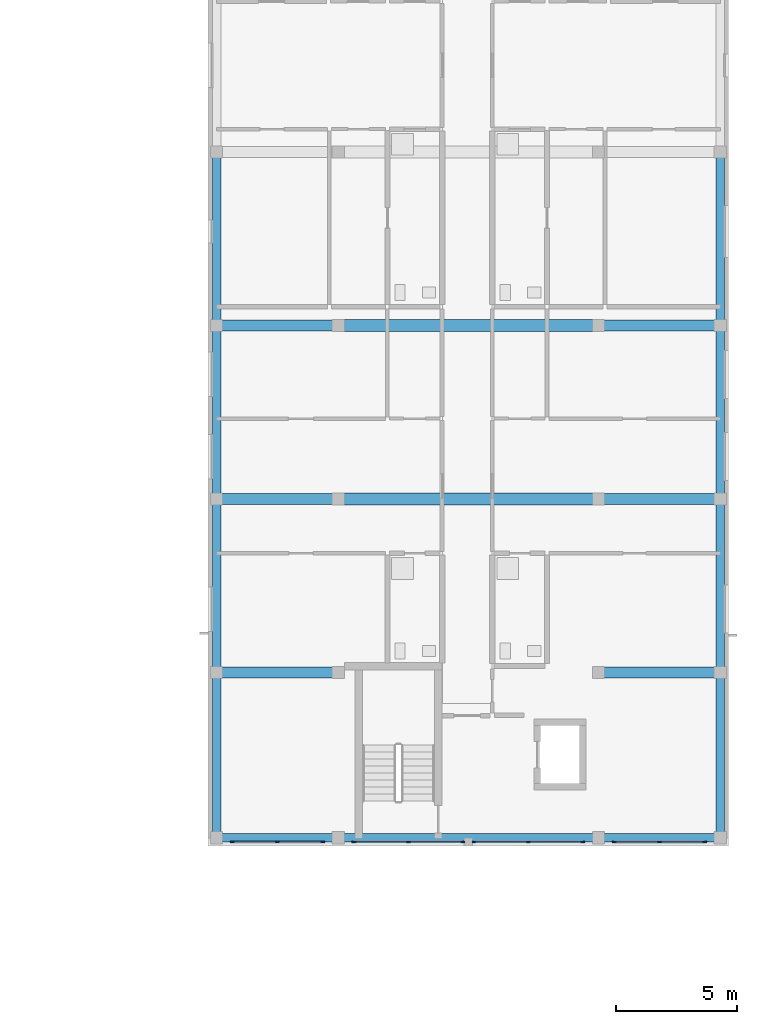
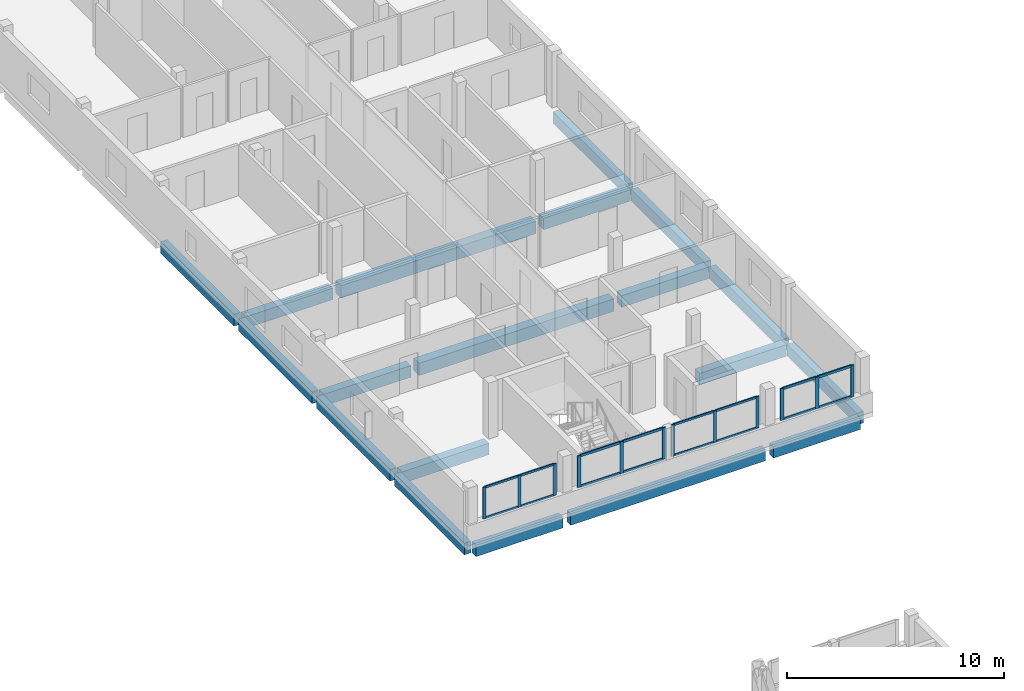
# One storey, part 7 of 28: 28 members, 19 beams, 4 elements without a shape of their own.
"""IFC4 building model written with IfcOpenShell, lengths in metres."""

from ifc_helpers import new_model, si_unit, derived_unit, direction, frame, origin, origin_2d, place, context, subcontext, project, spatial, rectangle, extrude, material, layer, layer_set, material_profile, profile_set, type_object, element, aggregate, save


model = new_model("IFC4")

# Units and contexts
model_context = context("Model", 3, precision=1e-05, world=origin(), true_north=direction((0.0, 1.0)))
body_context = subcontext(model_context, "Body", "Model", "MODEL_VIEW")
ifc_project = project(units=[si_unit("LENGTHUNIT", "METRE"), si_unit("AREAUNIT", "SQUARE_METRE"), si_unit("VOLUMEUNIT", "CUBIC_METRE"), si_unit("PLANEANGLEUNIT", "RADIAN"), si_unit("MASSUNIT", "GRAM", prefix="KILO"), derived_unit("THERMALTRANSMITTANCEUNIT", [(si_unit("MASSUNIT", "GRAM", prefix="KILO"), 1), (si_unit("TIMEUNIT", "SECOND"), -3), (si_unit("THERMODYNAMICTEMPERATUREUNIT", "KELVIN"), -1)])], contexts=[model_context])

# Site, building, storey
site_placement = place(None, origin())
site = spatial("IfcSite", under=ifc_project, at=site_placement, CompositionType="ELEMENT")
building_placement = place(site_placement, origin())
building = spatial("IfcBuilding", under=site, at=building_placement, Name="Ochrekiln Boulevard Commons", CompositionType="ELEMENT")
storey_placement = place(building_placement, frame((0.0, 0.0, 34.125)))
storey = spatial("IfcBuildingStorey", under=building, at=storey_placement, Name="L10", CompositionType="ELEMENT", Elevation=34.125)

# Beams
ifc_material_1 = material(Name="Concrete C35/45", Category="concrete")
ifc_material_profile_1 = material_profile(ifc_material_1, rectangle(XDim=0.449951171875, YDim=0.64990234375, at=origin_2d()), Name="RC-BM-450x650")
ifc_profile_set_1 = profile_set([ifc_material_profile_1], Name="Concrete C35/45")
beam_type_1 = type_object("IfcBeamType", Name="BM-RC-450x650", PredefinedType="BEAM", material=ifc_profile_set_1)
for number, where, z_axis, x_axis, name in (
    (1, (151.760009765625, 75.60009765625, -0.574951171875), (1.0, 0.0, 0.0), (0.0, 1.0, 0.0), "Block B L10 Beam B-4565 X4"),
    (2, (167.610107421875, 75.60009765625, -0.574951171875), (1.0, 0.0, 0.0), (0.0, 1.0, 0.0), "Block B L10 Beam B-4565 X5"),
    (3, (151.760009765625, 82.800048828125, -0.574951171875), (1.0, 0.0, 0.0), (0.0, 1.0, 0.0), "Block B L10 Beam B-4565 X6"),
    (4, (167.610107421875, 82.800048828125, -0.574951171875), (1.0, 0.0, 0.0), (0.0, 1.0, 0.0), "Block B L10 Beam B-4565 X8"),
    (5, (151.760009765625, 90.0, -0.574951171875), (1.0, 0.0, 0.0), (0.0, 1.0, 0.0), "Block B L10 Beam B-4565 X9"),
    (6, (167.610107421875, 90.0, -0.574951171875), (1.0, 0.0, 0.0), (0.0, 1.0, 0.0), "Block B L10 Beam B-4565 X11"),
):
    element("IfcBeam", number, at=place(storey_placement, frame(where, z_axis=z_axis, x_axis=x_axis)), inside=storey, type_object=beam_type_1, Name=name, PredefinedType="BEAM", context=body_context, shape_type="SweptSolid", body=[
        extrude(rectangle(XDim=0.449951171875, YDim=0.64990234375, at=origin_2d()), origin(), (0.0, 0.0, 1.0), 4.6298828125),
    ])
ifc_material_2 = material(Name="Concrete C40/50", Category="concrete")
ifc_material_profile_2 = material_profile(ifc_material_2, rectangle(XDim=0.5, YDim=0.699951171875, at=origin_2d()), Name="RC-BM-500x700")
ifc_profile_set_2 = profile_set([ifc_material_profile_2], Name="Concrete C40/50")
beam_type_2 = type_object("IfcBeamType", Name="BM-RC-500x700", PredefinedType="BEAM", material=ifc_profile_set_2)
for number, where, z_axis, x_axis, name in (
    (7, (156.81005859375, 82.800048828125, -0.60009765625), (1.0, 0.0, 0.0), (0.0, 1.0, 0.0), "Block B L10 Beam B-5070 X7"),
    (8, (156.81005859375, 90.0, -0.60009765625), (1.0, 0.0, 0.0), (0.0, 1.0, 0.0), "Block B L10 Beam B-5070 X10"),
):
    element("IfcBeam", number, at=place(storey_placement, frame(where, z_axis=z_axis, x_axis=x_axis)), inside=storey, type_object=beam_type_2, Name=name, PredefinedType="BEAM", context=body_context, shape_type="SweptSolid", body=[
        extrude(rectangle(XDim=0.5, YDim=0.699951171875, at=origin_2d()), origin(), (0.0, 0.0, 1.0), 10.3798828125),
    ])

# Curtain wall, members
ifc_material_3 = material(Name="Bronze-anodized extruded aluminium 6063-T6", Category="aluminium")
ifc_layer = layer(ifc_material_3, 0.18408203125)
ifc_layer_set = layer_set([ifc_layer], Name="Bronze-anodized extruded aluminium 6063-T6")
curtain_wall_type = type_object("IfcCurtainWallType", Name="CW-GABLE-B", PredefinedType="USERDEFINED", material=ifc_layer_set)
curtain_wall_1_placement = place(storey_placement, origin())
curtain_wall_1 = element("IfcCurtainWall", 9, at=curtain_wall_1_placement, inside=storey, type_object=curtain_wall_type, Name="Block B L10 Courtyard Glazed Gable Curtain Wall 1", ObjectType="GLAZED CURTAIN WALL", PredefinedType="USERDEFINED")
ifc_material_profile_3 = material_profile(ifc_material_3, rectangle(XDim=0.06005859375, YDim=0.159912109375, at=origin_2d()), Name="ALU-MUL-60x160")
ifc_profile_set_3 = profile_set([ifc_material_profile_3], Name="Bronze-anodized extruded aluminium 6063-T6")
member_type_1 = type_object("IfcMemberType", Name="CWM-60x160", PredefinedType="MULLION", material=ifc_profile_set_3)
member_1_placement = place(storey_placement, frame((152.199951171875, 68.570068359375, 1.110107421875), z_axis=(0.0, 0.0, 1.0), x_axis=(0.0, 1.0, 0.0)))
member_1 = element("IfcMember", 10, at=member_1_placement, type_object=member_type_1, Name="CW-02 mullion 1", PredefinedType="MULLION", context=body_context, shape_type="SweptSolid", body=[
    extrude(rectangle(XDim=0.06005859375, YDim=0.159912109375, at=origin_2d()), origin(), (0.0, 0.0, 1.0), 1.77978515625),
])
member_2_placement = place(storey_placement, frame((154.074951171875, 68.570068359375, 1.110107421875), z_axis=(0.0, 0.0, 1.0), x_axis=(0.0, 1.0, 0.0)))
member_2 = element("IfcMember", 11, at=member_2_placement, type_object=member_type_1, Name="CW-02 mullion 2", PredefinedType="MULLION", context=body_context, shape_type="SweptSolid", body=[
    extrude(rectangle(XDim=0.06005859375, YDim=0.159912109375, at=origin_2d()), origin(), (0.0, 0.0, 1.0), 1.77978515625),
])
member_3_placement = place(storey_placement, frame((155.949951171875, 68.570068359375, 1.110107421875), z_axis=(0.0, 0.0, 1.0), x_axis=(0.0, 1.0, 0.0)))
member_3 = element("IfcMember", 12, at=member_3_placement, type_object=member_type_1, Name="CW-02 mullion 3", PredefinedType="MULLION", context=body_context, shape_type="SweptSolid", body=[
    extrude(rectangle(XDim=0.06005859375, YDim=0.159912109375, at=origin_2d()), origin(), (0.0, 0.0, 1.0), 1.77978515625),
])

curtain_wall_2_placement = place(storey_placement, origin())
curtain_wall_2 = element("IfcCurtainWall", 13, at=curtain_wall_2_placement, inside=storey, type_object=curtain_wall_type, Name="Block B L10 Courtyard Glazed Gable Curtain Wall 3", ObjectType="GLAZED CURTAIN WALL", PredefinedType="USERDEFINED")
member_4_placement = place(storey_placement, frame((162.22998046875, 68.570068359375, 1.110107421875), z_axis=(0.0, 0.0, 1.0), x_axis=(0.0, 1.0, 0.0)))
member_4 = element("IfcMember", 14, at=member_4_placement, type_object=member_type_1, Name="CW-02 mullion 1", PredefinedType="MULLION", context=body_context, shape_type="SweptSolid", body=[
    extrude(rectangle(XDim=0.06005859375, YDim=0.159912109375, at=origin_2d()), origin(), (0.0, 0.0, 1.0), 1.77978515625),
])
member_5_placement = place(storey_placement, frame((164.489990234375, 68.570068359375, 1.110107421875), z_axis=(0.0, 0.0, 1.0), x_axis=(0.0, 1.0, 0.0)))
member_5 = element("IfcMember", 15, at=member_5_placement, type_object=member_type_1, Name="CW-02 mullion 2", PredefinedType="MULLION", context=body_context, shape_type="SweptSolid", body=[
    extrude(rectangle(XDim=0.06005859375, YDim=0.159912109375, at=origin_2d()), origin(), (0.0, 0.0, 1.0), 1.77978515625),
])
member_6_placement = place(storey_placement, frame((166.75, 68.570068359375, 1.110107421875), z_axis=(0.0, 0.0, 1.0), x_axis=(0.0, 1.0, 0.0)))
member_6 = element("IfcMember", 16, at=member_6_placement, type_object=member_type_1, Name="CW-02 mullion 3", PredefinedType="MULLION", context=body_context, shape_type="SweptSolid", body=[
    extrude(rectangle(XDim=0.06005859375, YDim=0.159912109375, at=origin_2d()), origin(), (0.0, 0.0, 1.0), 1.77978515625),
])

curtain_wall_3_placement = place(storey_placement, origin())
curtain_wall_3 = element("IfcCurtainWall", 17, at=curtain_wall_3_placement, inside=storey, type_object=curtain_wall_type, Name="Block B L10 Courtyard Glazed Gable Curtain Wall 2", ObjectType="GLAZED CURTAIN WALL", PredefinedType="USERDEFINED")
ifc_material_profile_4 = material_profile(ifc_material_3, rectangle(XDim=0.06494140625, YDim=0.179931640625, at=origin_2d()), Name="ALU-MUL-65x180")
ifc_profile_set_4 = profile_set([ifc_material_profile_4], Name="Bronze-anodized extruded aluminium 6063-T6")
member_type_2 = type_object("IfcMemberType", Name="CWM-65x180", PredefinedType="MULLION", material=ifc_profile_set_4)
member_7_placement = place(storey_placement, frame((157.25244140625, 68.570068359375, 1.110107421875), z_axis=(0.0, 0.0, 1.0), x_axis=(0.0, 1.0, 0.0)))
member_7 = element("IfcMember", 18, at=member_7_placement, type_object=member_type_2, Name="CW-02 mullion 1", PredefinedType="MULLION", context=body_context, shape_type="SweptSolid", body=[
    extrude(rectangle(XDim=0.06494140625, YDim=0.179931640625, at=origin_2d()), origin(), (0.0, 0.0, 1.0), 1.77978515625),
])
member_8_placement = place(storey_placement, frame((159.510009765625, 68.570068359375, 1.110107421875), z_axis=(0.0, 0.0, 1.0), x_axis=(0.0, 1.0, 0.0)))
member_8 = element("IfcMember", 19, at=member_8_placement, type_object=member_type_2, Name="CW-02 mullion 2", PredefinedType="MULLION", context=body_context, shape_type="SweptSolid", body=[
    extrude(rectangle(XDim=0.06494140625, YDim=0.179931640625, at=origin_2d()), origin(), (0.0, 0.0, 1.0), 1.77978515625),
])
member_9_placement = place(storey_placement, frame((161.767578125, 68.570068359375, 1.110107421875), z_axis=(0.0, 0.0, 1.0), x_axis=(0.0, 1.0, 0.0)))
member_9 = element("IfcMember", 20, at=member_9_placement, type_object=member_type_2, Name="CW-02 mullion 3", PredefinedType="MULLION", context=body_context, shape_type="SweptSolid", body=[
    extrude(rectangle(XDim=0.06494140625, YDim=0.179931640625, at=origin_2d()), origin(), (0.0, 0.0, 1.0), 1.77978515625),
])

curtain_wall_4_placement = place(storey_placement, origin())
curtain_wall_4 = element("IfcCurtainWall", 21, at=curtain_wall_4_placement, inside=storey, type_object=curtain_wall_type, Name="Block B L10 Courtyard Glazed Gable Curtain Wall 4", ObjectType="GLAZED CURTAIN WALL", PredefinedType="USERDEFINED")
member_10_placement = place(storey_placement, frame((168.052490234375, 68.570068359375, 1.110107421875), z_axis=(0.0, 0.0, 1.0), x_axis=(0.0, 1.0, 0.0)))
member_10 = element("IfcMember", 22, at=member_10_placement, type_object=member_type_2, Name="CW-02 mullion 1", PredefinedType="MULLION", context=body_context, shape_type="SweptSolid", body=[
    extrude(rectangle(XDim=0.06494140625, YDim=0.179931640625, at=origin_2d()), origin(), (0.0, 0.0, 1.0), 1.77978515625),
])
member_11_placement = place(storey_placement, frame((169.925048828125, 68.570068359375, 1.110107421875), z_axis=(0.0, 0.0, 1.0), x_axis=(0.0, 1.0, 0.0)))
member_11 = element("IfcMember", 23, at=member_11_placement, type_object=member_type_2, Name="CW-02 mullion 2", PredefinedType="MULLION", context=body_context, shape_type="SweptSolid", body=[
    extrude(rectangle(XDim=0.06494140625, YDim=0.179931640625, at=origin_2d()), origin(), (0.0, 0.0, 1.0), 1.77978515625),
])
member_12_placement = place(storey_placement, frame((171.797607421875, 68.570068359375, 1.110107421875), z_axis=(0.0, 0.0, 1.0), x_axis=(0.0, 1.0, 0.0)))
member_12 = element("IfcMember", 24, at=member_12_placement, type_object=member_type_2, Name="CW-02 mullion 3", PredefinedType="MULLION", context=body_context, shape_type="SweptSolid", body=[
    extrude(rectangle(XDim=0.06494140625, YDim=0.179931640625, at=origin_2d()), origin(), (0.0, 0.0, 1.0), 1.77978515625),
])

# Member
ifc_material_profile_5 = material_profile(ifc_material_3, rectangle(XDim=0.06005859375, YDim=0.1201171875, at=origin_2d()), Name="ALU-TRN-60x120")
ifc_profile_set_5 = profile_set([ifc_material_profile_5], Name="Bronze-anodized extruded aluminium 6063-T6")
member_type_3 = type_object("IfcMemberType", Name="CWT-60x120", PredefinedType="USERDEFINED", material=ifc_profile_set_5)
member_13_placement = place(storey_placement, frame((152.22998046875, 68.570068359375, 1.139892578125), z_axis=(1.0, 0.0, 0.0), x_axis=(0.0, 1.0, 0.0)))
member_13 = element("IfcMember", 25, at=member_13_placement, type_object=member_type_3, Name="CW-02 transom 1.1", ObjectType="TRANSOM", PredefinedType="USERDEFINED", context=body_context, shape_type="SweptSolid", body=[
    extrude(rectangle(XDim=0.06005859375, YDim=0.1201171875, at=origin_2d()), origin(), (0.0, 0.0, 1.0), 1.81494140625),
])

member_14_placement = place(storey_placement, frame((152.22998046875, 68.570068359375, 2.860107421875), z_axis=(1.0, 0.0, 0.0), x_axis=(0.0, 1.0, 0.0)))
member_14 = element("IfcMember", 26, at=member_14_placement, type_object=member_type_3, Name="CW-02 transom 1.2", ObjectType="TRANSOM", PredefinedType="USERDEFINED", context=body_context, shape_type="SweptSolid", body=[
    extrude(rectangle(XDim=0.06005859375, YDim=0.1201171875, at=origin_2d()), origin(), (0.0, 0.0, 1.0), 1.81494140625),
])

member_15_placement = place(storey_placement, frame((154.10498046875, 68.570068359375, 1.139892578125), z_axis=(1.0, 0.0, 0.0), x_axis=(0.0, 1.0, 0.0)))
member_15 = element("IfcMember", 27, at=member_15_placement, type_object=member_type_3, Name="CW-02 transom 2.1", ObjectType="TRANSOM", PredefinedType="USERDEFINED", context=body_context, shape_type="SweptSolid", body=[
    extrude(rectangle(XDim=0.06005859375, YDim=0.1201171875, at=origin_2d()), origin(), (0.0, 0.0, 1.0), 1.81494140625),
])

member_16_placement = place(storey_placement, frame((154.10498046875, 68.570068359375, 2.860107421875), z_axis=(1.0, 0.0, 0.0), x_axis=(0.0, 1.0, 0.0)))
member_16 = element("IfcMember", 28, at=member_16_placement, type_object=member_type_3, Name="CW-02 transom 2.2", ObjectType="TRANSOM", PredefinedType="USERDEFINED", context=body_context, shape_type="SweptSolid", body=[
    extrude(rectangle(XDim=0.06005859375, YDim=0.1201171875, at=origin_2d()), origin(), (0.0, 0.0, 1.0), 1.81494140625),
])

aggregate(curtain_wall_1, [member_1, member_2, member_3, member_13, member_14, member_15, member_16])

member_17_placement = place(storey_placement, frame((162.260009765625, 68.570068359375, 1.139892578125), z_axis=(1.0, 0.0, 0.0), x_axis=(0.0, 1.0, 0.0)))
member_17 = element("IfcMember", 29, at=member_17_placement, type_object=member_type_3, Name="CW-02 transom 1.1", ObjectType="TRANSOM", PredefinedType="USERDEFINED", context=body_context, shape_type="SweptSolid", body=[
    extrude(rectangle(XDim=0.06005859375, YDim=0.1201171875, at=origin_2d()), origin(), (0.0, 0.0, 1.0), 2.199951171875),
])

member_18_placement = place(storey_placement, frame((162.260009765625, 68.570068359375, 2.860107421875), z_axis=(1.0, 0.0, 0.0), x_axis=(0.0, 1.0, 0.0)))
member_18 = element("IfcMember", 30, at=member_18_placement, type_object=member_type_3, Name="CW-02 transom 1.2", ObjectType="TRANSOM", PredefinedType="USERDEFINED", context=body_context, shape_type="SweptSolid", body=[
    extrude(rectangle(XDim=0.06005859375, YDim=0.1201171875, at=origin_2d()), origin(), (0.0, 0.0, 1.0), 2.199951171875),
])

member_19_placement = place(storey_placement, frame((164.52001953125, 68.570068359375, 1.139892578125), z_axis=(1.0, 0.0, 0.0), x_axis=(0.0, 1.0, 0.0)))
member_19 = element("IfcMember", 31, at=member_19_placement, type_object=member_type_3, Name="CW-02 transom 2.1", ObjectType="TRANSOM", PredefinedType="USERDEFINED", context=body_context, shape_type="SweptSolid", body=[
    extrude(rectangle(XDim=0.06005859375, YDim=0.1201171875, at=origin_2d()), origin(), (0.0, 0.0, 1.0), 2.199951171875),
])

member_20_placement = place(storey_placement, frame((164.52001953125, 68.570068359375, 2.860107421875), z_axis=(1.0, 0.0, 0.0), x_axis=(0.0, 1.0, 0.0)))
member_20 = element("IfcMember", 32, at=member_20_placement, type_object=member_type_3, Name="CW-02 transom 2.2", ObjectType="TRANSOM", PredefinedType="USERDEFINED", context=body_context, shape_type="SweptSolid", body=[
    extrude(rectangle(XDim=0.06005859375, YDim=0.1201171875, at=origin_2d()), origin(), (0.0, 0.0, 1.0), 2.199951171875),
])

aggregate(curtain_wall_2, [member_4, member_5, member_6, member_17, member_18, member_19, member_20])

ifc_material_profile_6 = material_profile(ifc_material_3, rectangle(XDim=0.06494140625, YDim=0.139892578125, at=origin_2d()), Name="ALU-TRN-65x140")
ifc_profile_set_6 = profile_set([ifc_material_profile_6], Name="Bronze-anodized extruded aluminium 6063-T6")
member_type_4 = type_object("IfcMemberType", Name="CWT-65x140", PredefinedType="USERDEFINED", material=ifc_profile_set_6)
member_21_placement = place(storey_placement, frame((157.284912109375, 68.570068359375, 1.142578125), z_axis=(1.0, 0.0, 0.0), x_axis=(0.0, 1.0, 0.0)))
member_21 = element("IfcMember", 33, at=member_21_placement, type_object=member_type_4, Name="CW-02 transom 1.1", ObjectType="TRANSOM", PredefinedType="USERDEFINED", context=body_context, shape_type="SweptSolid", body=[
    extrude(rectangle(XDim=0.06494140625, YDim=0.139892578125, at=origin_2d()), origin(), (0.0, 0.0, 1.0), 2.192626953125),
])

member_22_placement = place(storey_placement, frame((157.284912109375, 68.570068359375, 2.857421875), z_axis=(1.0, 0.0, 0.0), x_axis=(0.0, 1.0, 0.0)))
member_22 = element("IfcMember", 34, at=member_22_placement, type_object=member_type_4, Name="CW-02 transom 1.2", ObjectType="TRANSOM", PredefinedType="USERDEFINED", context=body_context, shape_type="SweptSolid", body=[
    extrude(rectangle(XDim=0.06494140625, YDim=0.139892578125, at=origin_2d()), origin(), (0.0, 0.0, 1.0), 2.192626953125),
])

member_23_placement = place(storey_placement, frame((159.54248046875, 68.570068359375, 1.142578125), z_axis=(1.0, 0.0, 0.0), x_axis=(0.0, 1.0, 0.0)))
member_23 = element("IfcMember", 35, at=member_23_placement, type_object=member_type_4, Name="CW-02 transom 2.1", ObjectType="TRANSOM", PredefinedType="USERDEFINED", context=body_context, shape_type="SweptSolid", body=[
    extrude(rectangle(XDim=0.06494140625, YDim=0.139892578125, at=origin_2d()), origin(), (0.0, 0.0, 1.0), 2.192626953125),
])

member_24_placement = place(storey_placement, frame((159.54248046875, 68.570068359375, 2.857421875), z_axis=(1.0, 0.0, 0.0), x_axis=(0.0, 1.0, 0.0)))
member_24 = element("IfcMember", 36, at=member_24_placement, type_object=member_type_4, Name="CW-02 transom 2.2", ObjectType="TRANSOM", PredefinedType="USERDEFINED", context=body_context, shape_type="SweptSolid", body=[
    extrude(rectangle(XDim=0.06494140625, YDim=0.139892578125, at=origin_2d()), origin(), (0.0, 0.0, 1.0), 2.192626953125),
])

aggregate(curtain_wall_3, [member_7, member_8, member_9, member_21, member_22, member_23, member_24])

member_25_placement = place(storey_placement, frame((168.0849609375, 68.570068359375, 1.142578125), z_axis=(1.0, 0.0, 0.0), x_axis=(0.0, 1.0, 0.0)))
member_25 = element("IfcMember", 37, at=member_25_placement, type_object=member_type_4, Name="CW-02 transom 1.1", ObjectType="TRANSOM", PredefinedType="USERDEFINED", context=body_context, shape_type="SweptSolid", body=[
    extrude(rectangle(XDim=0.06494140625, YDim=0.139892578125, at=origin_2d()), origin(), (0.0, 0.0, 1.0), 1.8076171875),
])

member_26_placement = place(storey_placement, frame((168.0849609375, 68.570068359375, 2.857421875), z_axis=(1.0, 0.0, 0.0), x_axis=(0.0, 1.0, 0.0)))
member_26 = element("IfcMember", 38, at=member_26_placement, type_object=member_type_4, Name="CW-02 transom 1.2", ObjectType="TRANSOM", PredefinedType="USERDEFINED", context=body_context, shape_type="SweptSolid", body=[
    extrude(rectangle(XDim=0.06494140625, YDim=0.139892578125, at=origin_2d()), origin(), (0.0, 0.0, 1.0), 1.8076171875),
])

member_27_placement = place(storey_placement, frame((169.95751953125, 68.570068359375, 1.142578125), z_axis=(1.0, 0.0, 0.0), x_axis=(0.0, 1.0, 0.0)))
member_27 = element("IfcMember", 39, at=member_27_placement, type_object=member_type_4, Name="CW-02 transom 2.1", ObjectType="TRANSOM", PredefinedType="USERDEFINED", context=body_context, shape_type="SweptSolid", body=[
    extrude(rectangle(XDim=0.06494140625, YDim=0.139892578125, at=origin_2d()), origin(), (0.0, 0.0, 1.0), 1.807373046875),
])

member_28_placement = place(storey_placement, frame((169.95751953125, 68.570068359375, 2.857421875), z_axis=(1.0, 0.0, 0.0), x_axis=(0.0, 1.0, 0.0)))
member_28 = element("IfcMember", 40, at=member_28_placement, type_object=member_type_4, Name="CW-02 transom 2.2", ObjectType="TRANSOM", PredefinedType="USERDEFINED", context=body_context, shape_type="SweptSolid", body=[
    extrude(rectangle(XDim=0.06494140625, YDim=0.139892578125, at=origin_2d()), origin(), (0.0, 0.0, 1.0), 1.807373046875),
])

aggregate(curtain_wall_4, [member_10, member_11, member_12, member_25, member_26, member_27, member_28])

# Beams
ifc_material_profile_7 = material_profile(ifc_material_2, rectangle(XDim=0.35009765625, YDim=0.64990234375, at=origin_2d()), Name="RC-SPN-350x650")
ifc_profile_set_7 = profile_set([ifc_material_profile_7], Name="Concrete C40/50")
beam_type_3 = type_object("IfcBeamType", Name="SPN-RC-350x650", PredefinedType="SPANDREL", material=ifc_profile_set_7)
beam_1_placement = place(storey_placement, frame((151.760009765625, 68.75, -0.574951171875), z_axis=(1.0, 0.0, 0.0), x_axis=(0.0, 1.0, 0.0)))
element("IfcBeam", 41, at=beam_1_placement, inside=storey, type_object=beam_type_3, Name="Block B L10 Beam SP-3565 X1", PredefinedType="SPANDREL", context=body_context, shape_type="SweptSolid", body=[
    extrude(rectangle(XDim=0.35009765625, YDim=0.64990234375, at=origin_2d()), origin(), (0.0, 0.0, 1.0), 4.6298828125),
])
beam_2_placement = place(storey_placement, frame((156.81005859375, 68.75, -0.574951171875), z_axis=(1.0, 0.0, 0.0), x_axis=(0.0, 1.0, 0.0)))
element("IfcBeam", 42, at=beam_2_placement, inside=storey, type_object=beam_type_3, Name="Block B L10 Beam SP-3565 X2", PredefinedType="SPANDREL", context=body_context, shape_type="SweptSolid", body=[
    extrude(rectangle(XDim=0.35009765625, YDim=0.64990234375, at=origin_2d()), origin(), (0.0, 0.0, 1.0), 10.3798828125),
])
beam_3_placement = place(storey_placement, frame((167.610107421875, 68.75, -0.574951171875), z_axis=(1.0, 0.0, 0.0), x_axis=(0.0, 1.0, 0.0)))
element("IfcBeam", 43, at=beam_3_placement, inside=storey, type_object=beam_type_3, Name="Block B L10 Beam SP-3565 X3", PredefinedType="SPANDREL", context=body_context, shape_type="SweptSolid", body=[
    extrude(rectangle(XDim=0.35009765625, YDim=0.64990234375, at=origin_2d()), origin(), (0.0, 0.0, 1.0), 4.6298828125),
])
beam_4_placement = place(storey_placement, frame((151.550048828125, 68.9599609375, -0.574951171875), z_axis=(0.0, 1.0, 0.0), x_axis=(-1.0, 0.0, 0.0)))
element("IfcBeam", 44, at=beam_4_placement, inside=storey, type_object=beam_type_3, Name="Block B L10 Beam SP-3565 Y23", PredefinedType="SPANDREL", context=body_context, shape_type="SweptSolid", body=[
    extrude(rectangle(XDim=0.35009765625, YDim=0.64990234375, at=origin_2d()), origin(), (0.0, 0.0, 1.0), 6.429931640625),
])
for number, where, z_axis, x_axis, name in (
    (45, (151.550048828125, 75.81005859375, -0.574951171875), (0.0, 1.0, 0.0), (-1.0, 0.0, 0.0), "Block B L10 Beam SP-3565 Y24"),
    (46, (151.550048828125, 83.010009765625, -0.574951171875), (0.0, 1.0, 0.0), (-1.0, 0.0, 0.0), "Block B L10 Beam SP-3565 Y25"),
    (47, (151.550048828125, 90.2099609375, -0.574951171875), (0.0, 1.0, 0.0), (-1.0, 0.0, 0.0), "Block B L10 Beam SP-3565 Y26"),
):
    element("IfcBeam", number, at=place(storey_placement, frame(where, z_axis=z_axis, x_axis=x_axis)), inside=storey, type_object=beam_type_3, Name=name, PredefinedType="SPANDREL", context=body_context, shape_type="SweptSolid", body=[
        extrude(rectangle(XDim=0.35009765625, YDim=0.64990234375, at=origin_2d()), origin(), (0.0, 0.0, 1.0), 6.780029296875),
    ])
beam_5_placement = place(storey_placement, frame((172.449951171875, 68.9599609375, -0.574951171875), z_axis=(0.0, 1.0, 0.0), x_axis=(-1.0, 0.0, 0.0)))
element("IfcBeam", 48, at=beam_5_placement, inside=storey, type_object=beam_type_3, Name="Block B L10 Beam SP-3565 Y30", PredefinedType="SPANDREL", context=body_context, shape_type="SweptSolid", body=[
    extrude(rectangle(XDim=0.35009765625, YDim=0.64990234375, at=origin_2d()), origin(), (0.0, 0.0, 1.0), 6.429931640625),
])
for number, where, z_axis, x_axis, name in (
    (49, (172.449951171875, 75.81005859375, -0.574951171875), (0.0, 1.0, 0.0), (-1.0, 0.0, 0.0), "Block B L10 Beam SP-3565 Y31"),
    (50, (172.449951171875, 83.010009765625, -0.574951171875), (0.0, 1.0, 0.0), (-1.0, 0.0, 0.0), "Block B L10 Beam SP-3565 Y32"),
    (51, (172.449951171875, 90.2099609375, -0.574951171875), (0.0, 1.0, 0.0), (-1.0, 0.0, 0.0), "Block B L10 Beam SP-3565 Y33"),
):
    element("IfcBeam", number, at=place(storey_placement, frame(where, z_axis=z_axis, x_axis=x_axis)), inside=storey, type_object=beam_type_3, Name=name, PredefinedType="SPANDREL", context=body_context, shape_type="SweptSolid", body=[
        extrude(rectangle(XDim=0.35009765625, YDim=0.64990234375, at=origin_2d()), origin(), (0.0, 0.0, 1.0), 6.780029296875),
    ])

save(model, "model.ifc")
